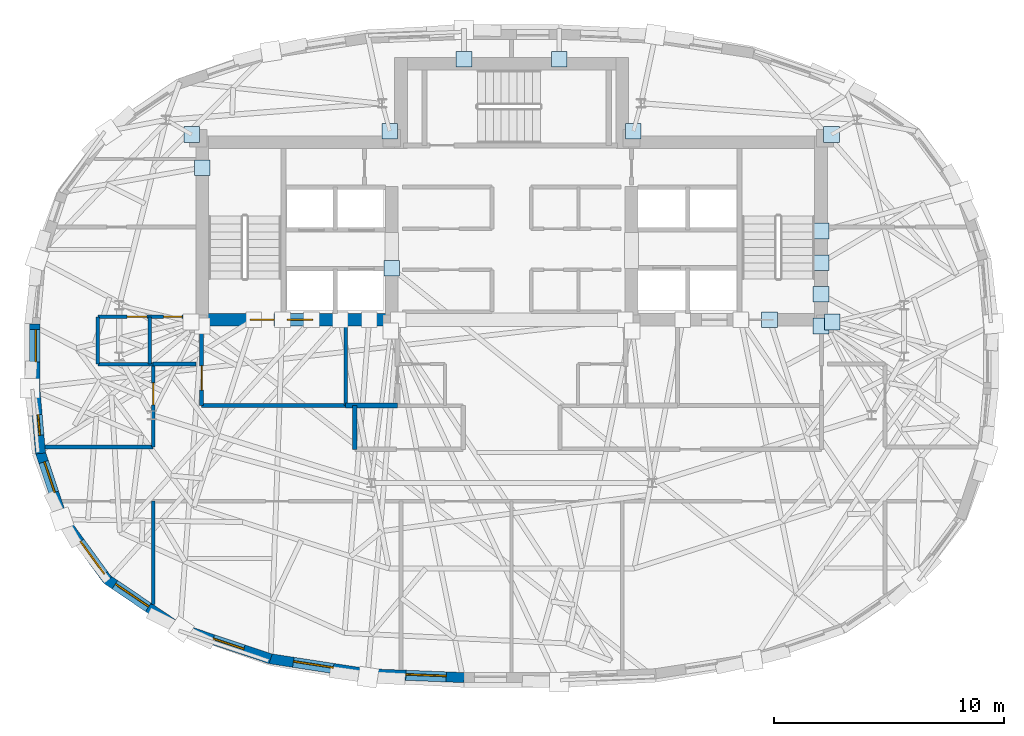
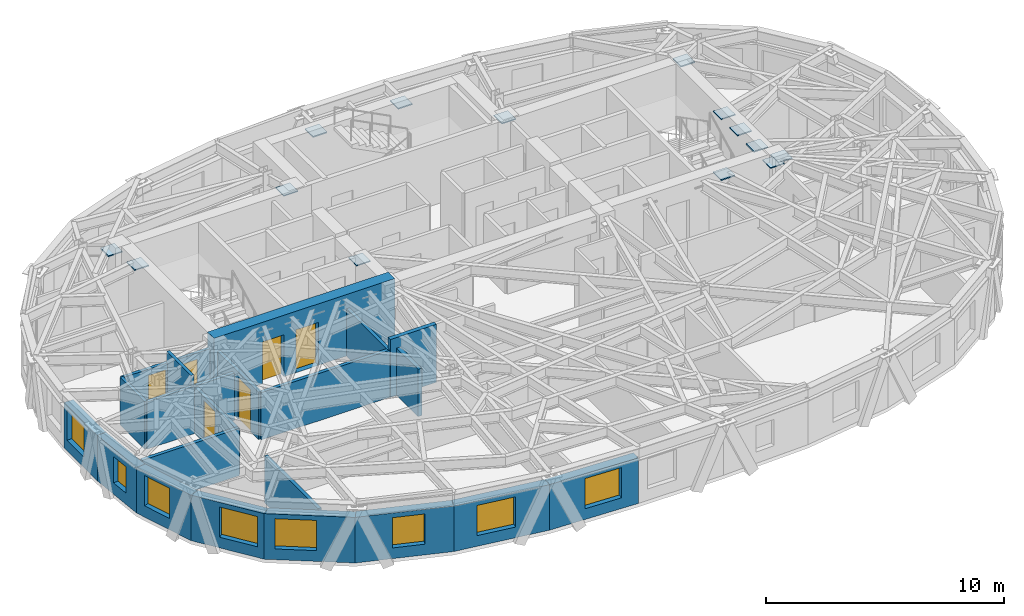
# One storey, part 5 of 12: 22 walls, 14 plates, 8 windows, 6 doors, 14 openings.
"""IFC4 building model written with IfcOpenShell, lengths in metres."""

from ifc_helpers import new_model, si_unit, direction, frame, frame_2d, origin, origin_2d, place, context, subcontext, project, spatial, rectangle, extrude, material, layer, layer_set, type_object, element, fill, save


model = new_model("IFC4")

# Units and contexts
model_context = context("Model", 3, precision=1e-05, world=origin(), true_north=direction((0.0, 1.0)))
body_context = subcontext(model_context, "Body", "Model", "MODEL_VIEW")
ifc_project = project(units=[si_unit("LENGTHUNIT", "METRE"), si_unit("AREAUNIT", "SQUARE_METRE"), si_unit("VOLUMEUNIT", "CUBIC_METRE"), si_unit("PLANEANGLEUNIT", "RADIAN"), si_unit("MASSUNIT", "GRAM", prefix="KILO")], contexts=[model_context])

# Site, building, storey
site_placement = place(None, origin())
site = spatial("IfcSite", under=ifc_project, at=site_placement, CompositionType="ELEMENT")
building_placement = place(site_placement, origin())
building = spatial("IfcBuilding", under=site, at=building_placement, Name="Keldmark Tower", CompositionType="ELEMENT")
storey_placement = place(building_placement, frame((0.0, 0.0, 250.949951171875)))
storey = spatial("IfcBuildingStorey", under=building, at=storey_placement, Name="L71", CompositionType="ELEMENT", Elevation=250.949951171875)

# Plates
ifc_material_1 = material(Name="Steel ASTM A572 Grade 50", Category="steel")
ifc_layer_1 = layer(ifc_material_1, 0.06005859375)
ifc_layer_set_1 = layer_set([ifc_layer_1], Name="Steel ASTM A572 Grade 50")
plate_type = type_object("IfcPlateType", Name="Belt Truss Kink Node Assembly KN01 60 mm", PredefinedType="USERDEFINED", material=ifc_layer_set_1)
for number, where, z_axis, x_axis, name in (
    (1, (13.91162109375, 1.473388671875, 2.67822265625), (0.0, 0.0, 1.0), (1.0, 0.0, 0.0), "L71 Core Wall Cast-In Embed Plate 2057"),
    (2, (13.878173828125, 9.608154296875, 2.67822265625), (0.0, 0.0, 1.0), (1.0, 0.0, 0.0), "L71 Core Wall Cast-In Embed Plate 2058"),
    (3, (5.28515625, 9.758544921875, 2.67822265625), (0.0, 0.0, 1.0), (1.0, 0.0, 0.0), "L71 Core Wall Cast-In Embed Plate 2059"),
    (4, (-5.28515625, 9.758544921875, 2.67822265625), (0.0, 0.0, 1.0), (1.0, 0.0, 0.0), "L71 Core Wall Cast-In Embed Plate 2060"),
    (5, (-13.878173828125, 9.608154296875, 2.67822265625), (0.0, 0.0, 1.0), (1.0, 0.0, 0.0), "L71 Core Wall Cast-In Embed Plate 2061"),
    (6, (2.0654296875, 12.8798828125, 2.67431640625), (0.0, 0.0, 1.0), (1.0, 0.0, 0.0), "L71 Core Wall Cast-In Embed Plate 2065"),
    (7, (-2.0654296875, 12.8798828125, 2.67431640625), (0.0, 0.0, 1.0), (1.0, 0.0, 0.0), "L71 Core Wall Cast-In Embed Plate 2066"),
    (8, (11.19287109375, 1.574951171875, 2.67431640625), (0.0, 0.0, 1.0), (1.0, 0.0, 0.0), "L71 Core Wall Cast-In Embed Plate 2070"),
    (9, (13.425048828125, 4.050048828125, 2.67431640625), (0.0, 0.0, 1.0), (1.0, 0.0, 0.0), "L71 Core Wall Cast-In Embed Plate 2074"),
    (10, (13.425048828125, 5.425048828125, 2.67431640625), (0.0, 0.0, 1.0), (1.0, 0.0, 0.0), "L71 Core Wall Cast-In Embed Plate 2075"),
    (11, (-5.199951171875, 3.800048828125, 2.67431640625), (0.0, 0.0, 1.0), (1.0, 0.0, 0.0), "L71 Core Wall Cast-In Embed Plate 2080"),
    (12, (13.425048828125, 1.300048828125, 2.67431640625), (0.0, 0.0, 1.0), (1.0, 0.0, 0.0), "L71 Core Wall Cast-In Embed Plate 2081"),
    (13, (13.425048828125, 2.675048828125, 2.67431640625), (0.0, 0.0, 1.0), (1.0, 0.0, 0.0), "L71 Core Wall Cast-In Embed Plate 2082"),
    (14, (-13.425048828125, 8.175048828125, 2.67431640625), (0.0, 0.0, 1.0), (1.0, 0.0, 0.0), "L71 Core Wall Cast-In Embed Plate 2083"),
):
    element("IfcPlate", number, at=place(storey_placement, frame(where, z_axis=z_axis, x_axis=x_axis)), inside=storey, type_object=plate_type, Name=name, ObjectType="CAP PLATE", PredefinedType="USERDEFINED", context=body_context, shape_type="SweptSolid", body=[
        extrude(rectangle(XDim=0.679931640625, YDim=0.679931640625, at=origin_2d()), origin(), (0.0, 0.0, 1.0), 0.054931640625),
    ])

# Wall
ifc_material_2 = material(Name="Heavy Acoustic Plumbing Chase Gypsum Assembly", Category="gypsum")
ifc_layer_2 = layer(ifc_material_2, 0.18994140625)
ifc_layer_set_2 = layer_set([ifc_layer_2], Name="Heavy Acoustic Plumbing Chase Gypsum Assembly")
wall_type_1 = type_object("IfcWallType", Name="Heavy Wet Wall 190 mm", PredefinedType="PLUMBINGWALL", material=ifc_layer_set_2)
wall_1_placement = place(storey_placement, frame((-6.800048828125, -4.050048828125, 0.0), z_axis=(0.0, 0.0, 1.0), x_axis=(0.0, 1.0, 0.0)))
element("IfcWall", 15, at=wall_1_placement, inside=storey, type_object=wall_type_1, Name="L71 Heavy Wet Wall 190 mm SPK-W-W", PredefinedType="PLUMBINGWALL", context=body_context, shape_type="SweptSolid", body=[
    extrude(rectangle(XDim=1.900146484375, YDim=0.18994140625, at=frame_2d((0.9501953125, 0.0))), origin(), (0.0, 0.0, 1.0), 2.423095703125),
])

# Wall, openings, doors
ifc_material_3 = material(Name="Concrete C50/60", Category="concrete")
ifc_layer_3 = layer(ifc_material_3, 0.550048828125)
ifc_layer_set_3 = layer_set([ifc_layer_3], Name="Concrete C50/60")
wall_type_2 = type_object("IfcWallType", Name="High-Rise Core Shear Wall 550 mm", PredefinedType="SHEAR", material=ifc_layer_set_3)
wall_2_placement = place(storey_placement, frame((-4.925048828125, 1.574951171875, 0.0), z_axis=(0.0, 0.0, 1.0), x_axis=(-1.0, 0.0, 0.0)))
wall_2 = element("IfcWall", 16, at=wall_2_placement, inside=storey, type_object=wall_type_2, Name="L71 West Core South Shear Wall", PredefinedType="SHEAR", context=body_context, shape_type="SweptSolid", body=[
    extrude(rectangle(XDim=8.77490234375, YDim=0.550048828125, at=frame_2d((4.387451171875, 0.0))), origin(), (0.0, 0.0, 1.0), 3.150146484375),
])
opening_1_placement = place(wall_2_placement, frame((5.375, 0.0, 0.0)))
opening_1 = element("IfcOpeningElement", 17, at=opening_1_placement, cuts=wall_2, Name="Opening D-ST105", PredefinedType="OPENING", context=body_context, shape_type="SweptSolid", body=[
    extrude(rectangle(XDim=1.050048828125, YDim=2.14990234375, at=frame_2d((0.52490234375, 1.074951171875))), frame((0.0, 0.284912109375, 0.0), z_axis=(0.0, -1.0, 0.0), x_axis=(1.0, 0.0, 0.0)), (0.0, 0.0, 1.0), 0.570068359375),
])
opening_2_placement = place(wall_2_placement, frame((3.705078125, 0.0, 0.0)))
opening_2 = element("IfcOpeningElement", 18, at=opening_2_placement, cuts=wall_2, Name="Opening LD-110", PredefinedType="OPENING", context=body_context, shape_type="SweptSolid", body=[
    extrude(rectangle(XDim=1.10009765625, YDim=2.199951171875, at=frame_2d((0.550048828125, 1.10009765625))), frame((0.0, 0.284912109375, 0.0), z_axis=(0.0, -1.0, 0.0), x_axis=(1.0, 0.0, 0.0)), (0.0, 0.0, 1.0), 0.570068359375),
])
ifc_material_4 = material(Name="Brushed Bronze Hoistway Sliding Leaf", Category="metal")
door_type_1 = type_object("IfcDoorType", Name="Lift Landing Sliding Door 1100x2200", OperationType="SLIDING_TO_LEFT", PredefinedType="DOOR", material=ifc_material_4)
door_1_placement = place(opening_2_placement, origin())
door_1 = element("IfcDoor", 19, at=door_1_placement, inside=storey, type_object=door_type_1, Name="L71 Lift Landing Sliding Door 1100x2200 LD-EL-FS1-L71", OperationType="SLIDING_TO_LEFT", OverallHeight=2.199951171875, OverallWidth=1.10009765625, PredefinedType="DOOR", context=body_context, shape_type="SweptSolid", body=[
    extrude(rectangle(XDim=1.10009765625, YDim=2.199951171875, at=frame_2d((0.550048828125, 1.10009765625))), frame((0.0, 0.02490234375, 0.0), z_axis=(0.0, -1.0, 0.0), x_axis=(1.0, 0.0, 0.0)), (0.0, 0.0, 1.0), 0.050048828125),
])
fill(opening_2, door_1)
ifc_material_5 = material(Name="Hollow Metal Fire-Rated Door Assembly", Category="metal")
door_type_2 = type_object("IfcDoorType", Name="Stair Fire Door 1050x2150", OperationType="NOTDEFINED", PredefinedType="DOOR", material=ifc_material_5)
door_2_placement = place(opening_1_placement, origin())
door_2 = element("IfcDoor", 20, at=door_2_placement, inside=storey, type_object=door_type_2, Name="L71 Stair Fire Door 1050x2150 D-ST1-L71", OperationType="SINGLE_SWING_RIGHT", OverallHeight=2.14990234375, OverallWidth=1.050048828125, PredefinedType="DOOR", context=body_context, shape_type="SweptSolid", body=[
    extrude(rectangle(XDim=1.050048828125, YDim=2.14990234375, at=frame_2d((0.52490234375, 1.074951171875))), frame((0.0, 0.02490234375, 0.0), z_axis=(0.0, -1.0, 0.0), x_axis=(1.0, 0.0, 0.0)), (0.0, 0.0, 1.0), 0.050048828125),
])
fill(opening_1, door_2)

# Wall
ifc_material_6 = material(Name="Type X Fire-Rated Gypsum Partition Assembly", Category="gypsum")
ifc_layer_4 = layer(ifc_material_6, 0.1650390625)
ifc_layer_set_4 = layer_set([ifc_layer_4], Name="Type X Fire-Rated Gypsum Partition Assembly")
wall_type_3 = type_object("IfcWallType", Name="Rated Partition 165 mm", PredefinedType="PARTITIONING", material=ifc_layer_set_4)
wall_3_placement = place(storey_placement, frame((-13.449951171875, -2.14990234375, 0.0), z_axis=(0.0, 0.0, 1.0), x_axis=(1.0, 0.0, 0.0)))
element("IfcWall", 21, at=wall_3_placement, inside=storey, type_object=wall_type_3, Name="L71 Rated Partition 165 mm FSAE-W-S", PredefinedType="PARTITIONING", context=body_context, shape_type="SweptSolid", body=[
    extrude(rectangle(XDim=6.25, YDim=0.1650390625, at=frame_2d((3.125, 0.0))), origin(), (0.0, 0.0, 1.0), 2.423095703125),
])

# Wall, opening, door
wall_4_placement = place(storey_placement, frame((-13.449951171875, -2.14990234375, 0.0), z_axis=(0.0, 0.0, 1.0), x_axis=(0.0, 1.0, 0.0)))
wall_4 = element("IfcWall", 22, at=wall_4_placement, inside=storey, type_object=wall_type_3, Name="L71 Rated Partition 165 mm FSAE-W-W", PredefinedType="PARTITIONING", context=body_context, shape_type="SweptSolid", body=[
    extrude(rectangle(XDim=3.5, YDim=0.1650390625, at=frame_2d((1.75, 0.0))), origin(), (0.0, 0.0, 1.0), 2.423095703125),
])
opening_3_placement = place(wall_4_placement, frame((0.669921875, 0.0, 0.0)))
opening_3 = element("IfcOpeningElement", 23, at=opening_3_placement, cuts=wall_4, Name="Opening D-FL105", PredefinedType="OPENING", context=body_context, shape_type="SweptSolid", body=[
    extrude(rectangle(XDim=1.050048828125, YDim=2.14990234375, at=frame_2d((0.52490234375, 1.074951171875))), frame((0.0, 0.092529296875, 0.0), z_axis=(0.0, -1.0, 0.0), x_axis=(1.0, 0.0, 0.0)), (0.0, 0.0, 1.0), 0.18505859375),
])
ifc_material_7 = material(Name="Fire-Rated Mineral-Core Door and Vision Lite", Category="metal")
door_type_3 = type_object("IfcDoorType", Name="Fire Lobby Door 1050x2150", OperationType="NOTDEFINED", PredefinedType="DOOR", material=ifc_material_7)
door_3_placement = place(opening_3_placement, origin())
door_3 = element("IfcDoor", 24, at=door_3_placement, inside=storey, type_object=door_type_3, Name="L71 Fire Lobby Door 1050x2150 D-FSAEW-OUT-L71", OperationType="SINGLE_SWING_LEFT", OverallHeight=2.14990234375, OverallWidth=1.050048828125, PredefinedType="DOOR", context=body_context, shape_type="SweptSolid", body=[
    extrude(rectangle(XDim=1.050048828125, YDim=2.14990234375, at=frame_2d((0.52490234375, 1.074951171875))), frame((0.0, 0.02490234375, 0.0), z_axis=(0.0, -1.0, 0.0), x_axis=(1.0, 0.0, 0.0)), (0.0, 0.0, 1.0), 0.050048828125),
])
fill(opening_3, door_3)

# Walls
wall_5_placement = place(storey_placement, frame((-7.199951171875, -2.14990234375, 0.0), z_axis=(0.0, 0.0, 1.0), x_axis=(0.0, 1.0, 0.0)))
element("IfcWall", 25, at=wall_5_placement, inside=storey, type_object=wall_type_3, Name="L71 Rated Partition 165 mm FSAE-W-E", PredefinedType="PARTITIONING", context=body_context, shape_type="SweptSolid", body=[
    extrude(rectangle(XDim=3.5, YDim=0.1650390625, at=frame_2d((1.75, 0.0))), origin(), (0.0, 0.0, 1.0), 2.423095703125),
])
wall_6_placement = place(storey_placement, frame((-20.23681640625, -3.949951171875, 0.0), z_axis=(0.0, 0.0, 1.0), x_axis=(1.0, 0.0, 0.0)))
element("IfcWall", 26, at=wall_6_placement, inside=storey, type_object=wall_type_3, Name="L71 Rated Partition 165 mm RCOR-WN-OUT", PredefinedType="PARTITIONING", context=body_context, shape_type="SweptSolid", body=[
    extrude(rectangle(XDim=4.686767578125, YDim=0.1650390625, at=frame_2d((2.34326171875, 0.0))), origin(), (0.0, 0.0, 1.0), 2.423095703125),
])

# Wall, opening, door
wall_7_placement = place(storey_placement, frame((-15.550048828125, -3.949951171875, 0.0), z_axis=(0.0, 0.0, 1.0), x_axis=(0.0, 1.0, 0.0)))
wall_7 = element("IfcWall", 27, at=wall_7_placement, inside=storey, type_object=wall_type_3, Name="L71 Rated Partition 165 mm RCOR-VW", PredefinedType="PARTITIONING", context=body_context, shape_type="SweptSolid", body=[
    extrude(rectangle(XDim=3.599853515625, YDim=0.1650390625, at=frame_2d((1.7998046875, 0.0))), origin(), (0.0, 0.0, 1.0), 2.35693359375),
])
opening_4_placement = place(wall_7_placement, frame((1.830078125, 0.0, 0.0)))
opening_4 = element("IfcOpeningElement", 28, at=opening_4_placement, cuts=wall_7, Name="Opening D-AP095", PredefinedType="OPENING", context=body_context, shape_type="SweptSolid", body=[
    extrude(rectangle(XDim=0.949951171875, YDim=2.14990234375, at=frame_2d((0.47509765625, 1.074951171875))), frame((0.0, 0.092529296875, 0.0), z_axis=(0.0, -1.0, 0.0), x_axis=(1.0, 0.0, 0.0)), (0.0, 0.0, 1.0), 0.18505859375),
])
ifc_material_8 = material(Name="Solid-Core Walnut Fire-Rated Entry Assembly", Category="wood")
door_type_4 = type_object("IfcDoorType", Name="Apartment Entry Door 950x2150", OperationType="NOTDEFINED", PredefinedType="DOOR", material=ifc_material_8)
door_4_placement = place(opening_4_placement, origin())
door_4 = element("IfcDoor", 29, at=door_4_placement, inside=storey, type_object=door_type_4, Name="L71 Apartment Entry Door 950x2150 D-UA-ENT-L71", OperationType="SINGLE_SWING_RIGHT", OverallHeight=2.14990234375, OverallWidth=0.949951171875, PredefinedType="DOOR", context=body_context, shape_type="SweptSolid", body=[
    extrude(rectangle(XDim=0.949951171875, YDim=2.14990234375, at=frame_2d((0.47509765625, 1.074951171875))), frame((0.0, 0.02490234375, 0.0), z_axis=(0.0, -1.0, 0.0), x_axis=(1.0, 0.0, 0.0)), (0.0, 0.0, 1.0), 0.050048828125),
])
fill(opening_4, door_4)

# Walls
wall_8_placement = place(storey_placement, frame((-15.550048828125, -0.35009765625, 0.0), z_axis=(0.0, 0.0, 1.0), x_axis=(1.0, 0.0, 0.0)))
element("IfcWall", 30, at=wall_8_placement, inside=storey, type_object=wall_type_3, Name="L71 Rated Partition 165 mm RCOR-VWN", PredefinedType="PARTITIONING", context=body_context, shape_type="SweptSolid", body=[
    extrude(rectangle(XDim=1.85009765625, YDim=0.1650390625, at=frame_2d((0.925048828125, 0.0))), origin(), (0.0, 0.0, 1.0), 2.423095703125),
])
wall_9_placement = place(storey_placement, frame((-15.550048828125, -10.776611328125, 0.0), z_axis=(0.0, 0.0, 1.0), x_axis=(0.0, 1.0, 0.0)))
element("IfcWall", 31, at=wall_9_placement, inside=storey, type_object=wall_type_3, Name="L71 Rated Partition 165 mm RS-WCAP", PredefinedType="PARTITIONING", context=body_context, shape_type="SweptSolid", body=[
    extrude(rectangle(XDim=4.4765625, YDim=0.1650390625, at=frame_2d((2.23828125, 0.0))), origin(), (0.0, 0.0, 1.0), 2.423095703125),
])
ifc_material_9 = material(Name="Fire-Resistant Type X Gypsum Shaftliner Coreboard", Category="gypsum")
ifc_layer_5 = layer(ifc_material_9, 0.199951171875)
ifc_layer_set_5 = layer_set([ifc_layer_5], Name="Fire-Resistant Type X Gypsum Shaftliner Coreboard")
wall_type_4 = type_object("IfcWallType", Name="Shaft Wall 200 mm", PredefinedType="SOLIDWALL", material=ifc_layer_set_5)
wall_10_placement = place(storey_placement, frame((-7.199951171875, -2.14990234375, 0.0), z_axis=(0.0, 0.0, 1.0), x_axis=(1.0, 0.0, 0.0)))
element("IfcWall", 32, at=wall_10_placement, inside=storey, type_object=wall_type_4, Name="L71 Shaft Wall 200 mm RIS-SW-S", PredefinedType="SOLIDWALL", context=body_context, shape_type="SweptSolid", body=[
    extrude(rectangle(XDim=2.25, YDim=0.199951171875, at=frame_2d((1.125, 0.0))), origin(), (0.0, 0.0, 1.0), 2.969970703125),
])

# Wall, opening, window
ifc_material_10 = material(Name="Ironspot Manganese Brick and Kasota Buff Limestone Spandrel Assembly", Category="masonry")
ifc_layer_6 = layer(ifc_material_10, 0.43994140625)
ifc_layer_set_6 = layer_set([ifc_layer_6], Name="Ironspot Manganese Brick and Kasota Buff Limestone Spandrel Assembly")
wall_type_5 = type_object("IfcWallType", Name="Tower Brick Pier and Spandrel Wall 440 mm", PredefinedType="STANDARD", material=ifc_layer_set_6)
wall_11_placement = place(storey_placement, frame((-20.689453125, -1.396240234375, 0.0), z_axis=(0.0, 0.0, 1.0), x_axis=(0.0, 1.0, 0.0)))
wall_11 = element("IfcWall", 33, at=wall_11_placement, inside=storey, type_object=wall_type_5, Name="L71 Exterior Brick and Spandrel Wall 16", PredefinedType="STANDARD", context=body_context, shape_type="SweptSolid", body=[
    extrude(rectangle(XDim=2.79248046875, YDim=0.43994140625, at=frame_2d((1.396240234375, 0.0))), origin(), (0.0, 0.0, 1.0), 2.3359375),
])
opening_5_placement = place(wall_11_placement, frame((1.14306640625, 0.0, 0.550048828125)))
opening_5 = element("IfcOpeningElement", 34, at=opening_5_placement, cuts=wall_11, Name="Opening W-08", PredefinedType="OPENING", context=body_context, shape_type="SweptSolid", body=[
    extrude(rectangle(XDim=1.39990234375, YDim=1.550048828125, at=frame_2d((0.699951171875, 0.77490234375))), frame((0.0, 0.22998046875, 0.0), z_axis=(0.0, -1.0, 0.0), x_axis=(1.0, 0.0, 0.0)), (0.0, 0.0, 1.0), 0.4599609375),
])
ifc_material_11 = material(Name="Thermally Broken Anodized Aluminum and Triple Low-E Argon Glazing", Category="aluminium")
window_type_1 = type_object("IfcWindowType", Name="Residential Corner Punched Window 1400x1550", PartitioningType="SINGLE_PANEL", PredefinedType="WINDOW", material=ifc_material_11)
window_1_placement = place(opening_5_placement, origin())
window_1 = element("IfcWindow", 35, at=window_1_placement, inside=storey, type_object=window_type_1, Name="L71 Deep-Set Window 16", OverallHeight=1.550048828125, OverallWidth=1.39990234375, PartitioningType="SINGLE_PANEL", PredefinedType="WINDOW", context=body_context, shape_type="SweptSolid", body=[
    extrude(rectangle(XDim=1.39990234375, YDim=1.550048828125, at=frame_2d((0.699951171875, 0.77490234375))), frame((0.0, -0.010009765625, 0.0), z_axis=(0.0, -1.0, 0.0), x_axis=(1.0, 0.0, 0.0)), (0.0, 0.0, 1.0), 0.06005859375),
])
fill(opening_5, window_1)

wall_12_placement = place(storey_placement, frame((-20.44140625, -4.230224609375, 0.0), z_axis=(0.0, 0.0, 1.0), x_axis=(-0.086868726907, 0.996219767062, 0.0)))
wall_12 = element("IfcWall", 36, at=wall_12_placement, inside=storey, type_object=wall_type_5, Name="L71 Exterior Brick and Spandrel Wall 17", PredefinedType="STANDARD", context=body_context, shape_type="SweptSolid", body=[
    extrude(rectangle(XDim=2.86376953125, YDim=0.43994140625, at=frame_2d((1.431884765625, 0.0))), origin(), (0.0, 0.0, 1.0), 2.3359375),
])
opening_6_placement = place(wall_12_placement, frame((0.786376953125, 0.0, 0.580078125)))
opening_6 = element("IfcOpeningElement", 37, at=opening_6_placement, cuts=wall_12, Name="Opening W-09", PredefinedType="OPENING", context=body_context, shape_type="SweptSolid", body=[
    extrude(rectangle(XDim=0.89990234375, YDim=1.35009765625, at=frame_2d((0.449951171875, 0.675048828125))), frame((0.0, 0.22998046875, 0.0), z_axis=(0.0, -1.0, 0.0), x_axis=(1.0, 0.0, 0.0)), (0.0, 0.0, 1.0), 0.4599609375),
])
ifc_material_12 = material(Name="Thermally Broken Anodized Aluminum and Triple Low-E Argon Glazing", Category="aluminium")
window_type_2 = type_object("IfcWindowType", Name="Corner Pier Deep-Set Window 900x1350", PartitioningType="SINGLE_PANEL", PredefinedType="WINDOW", material=ifc_material_12)
window_2_placement = place(opening_6_placement, origin())
window_2 = element("IfcWindow", 38, at=window_2_placement, inside=storey, type_object=window_type_2, Name="L71 Deep-Set Window 17", OverallHeight=1.35009765625, OverallWidth=0.89990234375, PartitioningType="SINGLE_PANEL", PredefinedType="WINDOW", context=body_context, shape_type="SweptSolid", body=[
    extrude(rectangle(XDim=0.89990234375, YDim=1.35009765625, at=frame_2d((0.449951171875, 0.675048828125))), frame((0.0, -0.010009765625, 0.0), z_axis=(0.0, -1.0, 0.0), x_axis=(1.0, 0.0, 0.0)), (0.0, 0.0, 1.0), 0.06005859375),
])
fill(opening_6, window_2)

wall_13_placement = place(storey_placement, frame((-19.484619140625, -7.067138671875, 0.0), z_axis=(0.0, 0.0, 1.0), x_axis=(-0.317622332961, 0.948217302945, 0.0)))
wall_13 = element("IfcWall", 39, at=wall_13_placement, inside=storey, type_object=wall_type_5, Name="L71 Exterior Brick and Spandrel Wall 18", PredefinedType="STANDARD", context=body_context, shape_type="SweptSolid", body=[
    extrude(rectangle(XDim=3.04541015625, YDim=0.43994140625, at=frame_2d((1.522705078125, 0.0))), origin(), (0.0, 0.0, 1.0), 2.3359375),
])
opening_7_placement = place(wall_13_placement, frame((1.1962890625, 0.0, 0.580078125)))
opening_7 = element("IfcOpeningElement", 40, at=opening_7_placement, cuts=wall_13, Name="Opening W-08", PredefinedType="OPENING", context=body_context, shape_type="SweptSolid", body=[
    extrude(rectangle(XDim=1.39990234375, YDim=1.550048828125, at=frame_2d((0.699951171875, 0.77490234375))), frame((0.0, 0.22998046875, 0.0), z_axis=(0.0, -1.0, 0.0), x_axis=(1.0, 0.0, 0.0)), (0.0, 0.0, 1.0), 0.4599609375),
])
window_3_placement = place(opening_7_placement, origin())
window_3 = element("IfcWindow", 41, at=window_3_placement, inside=storey, type_object=window_type_1, Name="L71 Deep-Set Window 18", OverallHeight=1.550048828125, OverallWidth=1.39990234375, PartitioningType="SINGLE_PANEL", PredefinedType="WINDOW", context=body_context, shape_type="SweptSolid", body=[
    extrude(rectangle(XDim=1.39990234375, YDim=1.550048828125, at=frame_2d((0.699951171875, 0.77490234375))), frame((0.0, -0.010009765625, 0.0), z_axis=(0.0, -1.0, 0.0), x_axis=(1.0, 0.0, 0.0)), (0.0, 0.0, 1.0), 0.06005859375),
])
fill(opening_7, window_3)

wall_14_placement = place(storey_placement, frame((-17.531494140625, -9.724365234375, 0.0), z_axis=(0.0, 0.0, 1.0), x_axis=(-0.589698134284, 0.807623743102, 0.0)))
wall_14 = element("IfcWall", 42, at=wall_14_placement, inside=storey, type_object=wall_type_5, Name="L71 Exterior Brick and Spandrel Wall 19", PredefinedType="STANDARD", context=body_context, shape_type="SweptSolid", body=[
    extrude(rectangle(XDim=3.3642578125, YDim=0.43994140625, at=frame_2d((1.68212890625, 0.0))), origin(), (0.0, 0.0, 1.0), 2.3359375),
])
opening_8_placement = place(wall_14_placement, frame((0.297119140625, 0.0, 0.550048828125)))
opening_8 = element("IfcOpeningElement", 43, at=opening_8_placement, cuts=wall_14, Name="Opening W-05", PredefinedType="OPENING", context=body_context, shape_type="SweptSolid", body=[
    extrude(rectangle(XDim=1.75, YDim=1.550048828125, at=frame_2d((0.875, 0.77490234375))), frame((0.0, 0.22998046875, 0.0), z_axis=(0.0, -1.0, 0.0), x_axis=(1.0, 0.0, 0.0)), (0.0, 0.0, 1.0), 0.4599609375),
])
ifc_material_13 = material(Name="Thermally Broken Anodized Aluminum and Triple Low-E Argon Glazing", Category="aluminium")
window_type_3 = type_object("IfcWindowType", Name="Residential Deep-Set Window 1750x1550", PartitioningType="DOUBLE_PANEL_VERTICAL", PredefinedType="WINDOW", material=ifc_material_13)
window_4_placement = place(opening_8_placement, origin())
window_4 = element("IfcWindow", 44, at=window_4_placement, inside=storey, type_object=window_type_3, Name="L71 Deep-Set Window 19", OverallHeight=1.550048828125, OverallWidth=1.75, PartitioningType="SINGLE_PANEL", PredefinedType="WINDOW", context=body_context, shape_type="SweptSolid", body=[
    extrude(rectangle(XDim=1.75, YDim=1.550048828125, at=frame_2d((0.875, 0.77490234375))), frame((0.0, -0.010009765625, 0.0), z_axis=(0.0, -1.0, 0.0), x_axis=(1.0, 0.0, 0.0)), (0.0, 0.0, 1.0), 0.06005859375),
])
fill(opening_8, window_4)

wall_15_placement = place(storey_placement, frame((-14.409912109375, -11.824951171875, 0.0), z_axis=(0.0, 0.0, 1.0), x_axis=(-0.827707997274, 0.56115904274, 0.0)))
wall_15 = element("IfcWall", 45, at=wall_15_placement, inside=storey, type_object=wall_type_5, Name="L71 Exterior Brick and Spandrel Wall 20", PredefinedType="STANDARD", context=body_context, shape_type="SweptSolid", body=[
    extrude(rectangle(XDim=3.8369140625, YDim=0.43994140625, at=frame_2d((1.91845703125, 0.0))), origin(), (0.0, 0.0, 1.0), 2.3359375),
])
opening_9_placement = place(wall_15_placement, frame((1.638671875, 0.0, 0.550048828125)))
opening_9 = element("IfcOpeningElement", 46, at=opening_9_placement, cuts=wall_15, Name="Opening W-05", PredefinedType="OPENING", context=body_context, shape_type="SweptSolid", body=[
    extrude(rectangle(XDim=1.75, YDim=1.550048828125, at=frame_2d((0.875, 0.77490234375))), frame((0.0, 0.22998046875, 0.0), z_axis=(0.0, -1.0, 0.0), x_axis=(1.0, 0.0, 0.0)), (0.0, 0.0, 1.0), 0.4599609375),
])
window_5_placement = place(opening_9_placement, origin())
window_5 = element("IfcWindow", 47, at=window_5_placement, inside=storey, type_object=window_type_3, Name="L71 Deep-Set Window 20", OverallHeight=1.550048828125, OverallWidth=1.75, PartitioningType="SINGLE_PANEL", PredefinedType="WINDOW", context=body_context, shape_type="SweptSolid", body=[
    extrude(rectangle(XDim=1.75, YDim=1.550048828125, at=frame_2d((0.875, 0.77490234375))), frame((0.0, -0.010009765625, 0.0), z_axis=(0.0, -1.0, 0.0), x_axis=(1.0, 0.0, 0.0)), (0.0, 0.0, 1.0), 0.06005859375),
])
fill(opening_9, window_5)

wall_16_placement = place(storey_placement, frame((-10.456298828125, -13.143798828125, 0.0), z_axis=(0.0, 0.0, 1.0), x_axis=(-0.948005346594, 0.318254399545, 0.0)))
wall_16 = element("IfcWall", 48, at=wall_16_placement, inside=storey, type_object=wall_type_5, Name="L71 Exterior Brick and Spandrel Wall 21", PredefinedType="STANDARD", context=body_context, shape_type="SweptSolid", body=[
    extrude(rectangle(XDim=4.226806640625, YDim=0.43994140625, at=frame_2d((2.11328125, 0.0))), origin(), (0.0, 0.0, 1.0), 2.3359375),
])
opening_10_placement = place(wall_16_placement, frame((1.240234375, 0.0, 0.550048828125)))
opening_10 = element("IfcOpeningElement", 49, at=opening_10_placement, cuts=wall_16, Name="Opening W-08", PredefinedType="OPENING", context=body_context, shape_type="SweptSolid", body=[
    extrude(rectangle(XDim=1.39990234375, YDim=1.550048828125, at=frame_2d((0.699951171875, 0.77490234375))), frame((0.0, 0.22998046875, 0.0), z_axis=(0.0, -1.0, 0.0), x_axis=(1.0, 0.0, 0.0)), (0.0, 0.0, 1.0), 0.4599609375),
])
window_6_placement = place(opening_10_placement, origin())
window_6 = element("IfcWindow", 50, at=window_6_placement, inside=storey, type_object=window_type_1, Name="L71 Deep-Set Window 21", OverallHeight=1.550048828125, OverallWidth=1.39990234375, PartitioningType="SINGLE_PANEL", PredefinedType="WINDOW", context=body_context, shape_type="SweptSolid", body=[
    extrude(rectangle(XDim=1.39990234375, YDim=1.550048828125, at=frame_2d((0.699951171875, 0.77490234375))), frame((0.0, -0.010009765625, 0.0), z_axis=(0.0, -1.0, 0.0), x_axis=(1.0, 0.0, 0.0)), (0.0, 0.0, 1.0), 0.06005859375),
])
fill(opening_10, window_6)

wall_17_placement = place(storey_placement, frame((-6.23388671875, -13.790771484375, 0.0), z_axis=(0.0, 0.0, 1.0), x_axis=(-0.988352039028, 0.152184910389, 0.0)))
wall_17 = element("IfcWall", 51, at=wall_17_placement, inside=storey, type_object=wall_type_5, Name="L71 Exterior Brick and Spandrel Wall 22", PredefinedType="STANDARD", context=body_context, shape_type="SweptSolid", body=[
    extrude(rectangle(XDim=4.30908203125, YDim=0.43994140625, at=frame_2d((2.154541015625, 0.0))), origin(), (0.0, 0.0, 1.0), 2.3359375),
])
opening_11_placement = place(wall_17_placement, frame((1.52490234375, 0.0, 0.550048828125)))
opening_11 = element("IfcOpeningElement", 52, at=opening_11_placement, cuts=wall_17, Name="Opening W-05", PredefinedType="OPENING", context=body_context, shape_type="SweptSolid", body=[
    extrude(rectangle(XDim=1.75, YDim=1.550048828125, at=frame_2d((0.875, 0.77490234375))), frame((0.0, 0.22998046875, 0.0), z_axis=(0.0, -1.0, 0.0), x_axis=(1.0, 0.0, 0.0)), (0.0, 0.0, 1.0), 0.4599609375),
])
window_7_placement = place(opening_11_placement, origin())
window_7 = element("IfcWindow", 53, at=window_7_placement, inside=storey, type_object=window_type_3, Name="L71 Deep-Set Window 22", OverallHeight=1.550048828125, OverallWidth=1.75, PartitioningType="SINGLE_PANEL", PredefinedType="WINDOW", context=body_context, shape_type="SweptSolid", body=[
    extrude(rectangle(XDim=1.75, YDim=1.550048828125, at=frame_2d((0.875, 0.77490234375))), frame((0.0, -0.010009765625, 0.0), z_axis=(0.0, -1.0, 0.0), x_axis=(1.0, 0.0, 0.0)), (0.0, 0.0, 1.0), 0.06005859375),
])
fill(opening_11, window_7)

wall_18_placement = place(storey_placement, frame((-2.050537109375, -13.957275390625, 0.0), z_axis=(0.0, 0.0, 1.0), x_axis=(-0.999195020948, 0.040116207618, 0.0)))
wall_18 = element("IfcWall", 54, at=wall_18_placement, inside=storey, type_object=wall_type_5, Name="L71 Exterior Brick and Spandrel Wall 23", PredefinedType="STANDARD", context=body_context, shape_type="SweptSolid", body=[
    extrude(rectangle(XDim=4.21142578125, YDim=0.43994140625, at=frame_2d((2.105712890625, 0.0))), origin(), (0.0, 0.0, 1.0), 2.3359375),
])
opening_12_placement = place(wall_18_placement, frame((0.788818359375, 0.0, 0.550048828125)))
opening_12 = element("IfcOpeningElement", 55, at=opening_12_placement, cuts=wall_18, Name="Opening W-05", PredefinedType="OPENING", context=body_context, shape_type="SweptSolid", body=[
    extrude(rectangle(XDim=1.75, YDim=1.550048828125, at=frame_2d((0.875, 0.77490234375))), frame((0.0, 0.22998046875, 0.0), z_axis=(0.0, -1.0, 0.0), x_axis=(1.0, 0.0, 0.0)), (0.0, 0.0, 1.0), 0.4599609375),
])
window_8_placement = place(opening_12_placement, origin())
window_8 = element("IfcWindow", 56, at=window_8_placement, inside=storey, type_object=window_type_3, Name="L71 Deep-Set Window 23", OverallHeight=1.550048828125, OverallWidth=1.75, PartitioningType="SINGLE_PANEL", PredefinedType="WINDOW", context=body_context, shape_type="SweptSolid", body=[
    extrude(rectangle(XDim=1.75, YDim=1.550048828125, at=frame_2d((0.875, 0.77490234375))), frame((0.0, -0.010009765625, 0.0), z_axis=(0.0, -1.0, 0.0), x_axis=(1.0, 0.0, 0.0)), (0.0, 0.0, 1.0), 0.06005859375),
])
fill(opening_12, window_8)

# Wall, openings, doors
ifc_material_14 = material(Name="Moisture-Resistant Gypsum Plumbing Partition", Category="gypsum")
ifc_layer_7 = layer(ifc_material_14, 0.14990234375)
ifc_layer_set_7 = layer_set([ifc_layer_7], Name="Moisture-Resistant Gypsum Plumbing Partition")
wall_type_6 = type_object("IfcWallType", Name="Wet Wall 150 mm", PredefinedType="PLUMBINGWALL", material=ifc_layer_set_7)
wall_19_placement = place(storey_placement, frame((-17.949951171875, 1.699951171875, 0.0), z_axis=(0.0, 0.0, 1.0), x_axis=(1.0, 0.0, 0.0)))
wall_19 = element("IfcWall", 57, at=wall_19_placement, inside=storey, type_object=wall_type_6, Name="L71 Wet Wall 150 mm UA-BK-N", PredefinedType="PLUMBINGWALL", context=body_context, shape_type="SweptSolid", body=[
    extrude(rectangle(XDim=4.25, YDim=0.14990234375, at=frame_2d((2.125, 0.0))), origin(), (0.0, 0.0, 1.0), 2.423095703125),
])
opening_13_placement = place(wall_19_placement, frame((2.85009765625, 0.0, 0.0)))
opening_13 = element("IfcOpeningElement", 58, at=opening_13_placement, cuts=wall_19, Name="Opening D-BT080", PredefinedType="OPENING", context=body_context, shape_type="SweptSolid", body=[
    extrude(rectangle(XDim=0.800048828125, YDim=2.10009765625, at=frame_2d((0.39990234375, 1.050048828125))), frame((0.0, 0.0849609375, 0.0), z_axis=(0.0, -1.0, 0.0), x_axis=(1.0, 0.0, 0.0)), (0.0, 0.0, 1.0), 0.169921875),
])
opening_14_placement = place(wall_19_placement, frame((1.27001953125, 0.0, 0.0)))
opening_14 = element("IfcOpeningElement", 59, at=opening_14_placement, cuts=wall_19, Name="Opening D-IN085", PredefinedType="OPENING", context=body_context, shape_type="SweptSolid", body=[
    extrude(rectangle(XDim=0.85009765625, YDim=2.10009765625, at=frame_2d((0.425048828125, 1.050048828125))), frame((0.0, 0.0849609375, 0.0), z_axis=(0.0, -1.0, 0.0), x_axis=(1.0, 0.0, 0.0)), (0.0, 0.0, 1.0), 0.169921875),
])
ifc_material_15 = material(Name="Moisture-Sealed Stained Wood", Category="wood")
door_type_5 = type_object("IfcDoorType", Name="Bathroom Door 800x2100", OperationType="NOTDEFINED", PredefinedType="DOOR", material=ifc_material_15)
door_5_placement = place(opening_13_placement, origin())
door_5 = element("IfcDoor", 60, at=door_5_placement, inside=storey, type_object=door_type_5, Name="L71 Bathroom Door 800x2100 D-UA-BATH-L71", OperationType="SINGLE_SWING_LEFT", OverallHeight=2.10009765625, OverallWidth=0.800048828125, PredefinedType="DOOR", context=body_context, shape_type="SweptSolid", body=[
    extrude(rectangle(XDim=0.800048828125, YDim=2.10009765625, at=frame_2d((0.39990234375, 1.050048828125))), frame((0.0, 0.02490234375, 0.0), z_axis=(0.0, -1.0, 0.0), x_axis=(1.0, 0.0, 0.0)), (0.0, 0.0, 1.0), 0.050048828125),
])
fill(opening_13, door_5)
ifc_material_16 = material(Name="Painted Architectural Wood", Category="wood")
door_type_6 = type_object("IfcDoorType", Name="Interior Door 850x2100", OperationType="NOTDEFINED", PredefinedType="DOOR", material=ifc_material_16)
door_6_placement = place(opening_14_placement, origin())
door_6 = element("IfcDoor", 61, at=door_6_placement, inside=storey, type_object=door_type_6, Name="L71 Interior Door 850x2100 D-UA-KIT-L71", OperationType="SINGLE_SWING_RIGHT", OverallHeight=2.10009765625, OverallWidth=0.85009765625, PredefinedType="DOOR", context=body_context, shape_type="SweptSolid", body=[
    extrude(rectangle(XDim=0.85009765625, YDim=2.10009765625, at=frame_2d((0.425048828125, 1.050048828125))), frame((0.0, 0.02490234375, 0.0), z_axis=(0.0, -1.0, 0.0), x_axis=(1.0, 0.0, 0.0)), (0.0, 0.0, 1.0), 0.050048828125),
])
fill(opening_14, door_6)

# Walls
wall_20_placement = place(storey_placement, frame((-17.949951171875, -0.35009765625, 0.0), z_axis=(0.0, 0.0, 1.0), x_axis=(1.0, 0.0, 0.0)))
element("IfcWall", 62, at=wall_20_placement, inside=storey, type_object=wall_type_6, Name="L71 Wet Wall 150 mm UA-BK-S", PredefinedType="PLUMBINGWALL", context=body_context, shape_type="SweptSolid", body=[
    extrude(rectangle(XDim=2.39990234375, YDim=0.14990234375, at=frame_2d((1.199951171875, 0.0))), origin(), (0.0, 0.0, 1.0), 2.423095703125),
])
wall_21_placement = place(storey_placement, frame((-15.699951171875, -0.35009765625, 0.0), z_axis=(0.0, 0.0, 1.0), x_axis=(0.0, 1.0, 0.0)))
element("IfcWall", 63, at=wall_21_placement, inside=storey, type_object=wall_type_6, Name="L71 Wet Wall 150 mm UA-BK-M", PredefinedType="PLUMBINGWALL", context=body_context, shape_type="SweptSolid", body=[
    extrude(rectangle(XDim=2.050048828125, YDim=0.14990234375, at=frame_2d((1.02490234375, 0.0))), origin(), (0.0, 0.0, 1.0), 2.969970703125),
])
wall_22_placement = place(storey_placement, frame((-17.949951171875, -0.35009765625, 0.0), z_axis=(0.0, 0.0, 1.0), x_axis=(0.0, 1.0, 0.0)))
element("IfcWall", 64, at=wall_22_placement, inside=storey, type_object=wall_type_6, Name="L71 Wet Wall 150 mm UA-BK-OUT", PredefinedType="PLUMBINGWALL", context=body_context, shape_type="SweptSolid", body=[
    extrude(rectangle(XDim=2.050048828125, YDim=0.14990234375, at=frame_2d((1.02490234375, 0.0))), origin(), (0.0, 0.0, 1.0), 2.423095703125),
])

save(model, "model.ifc")
